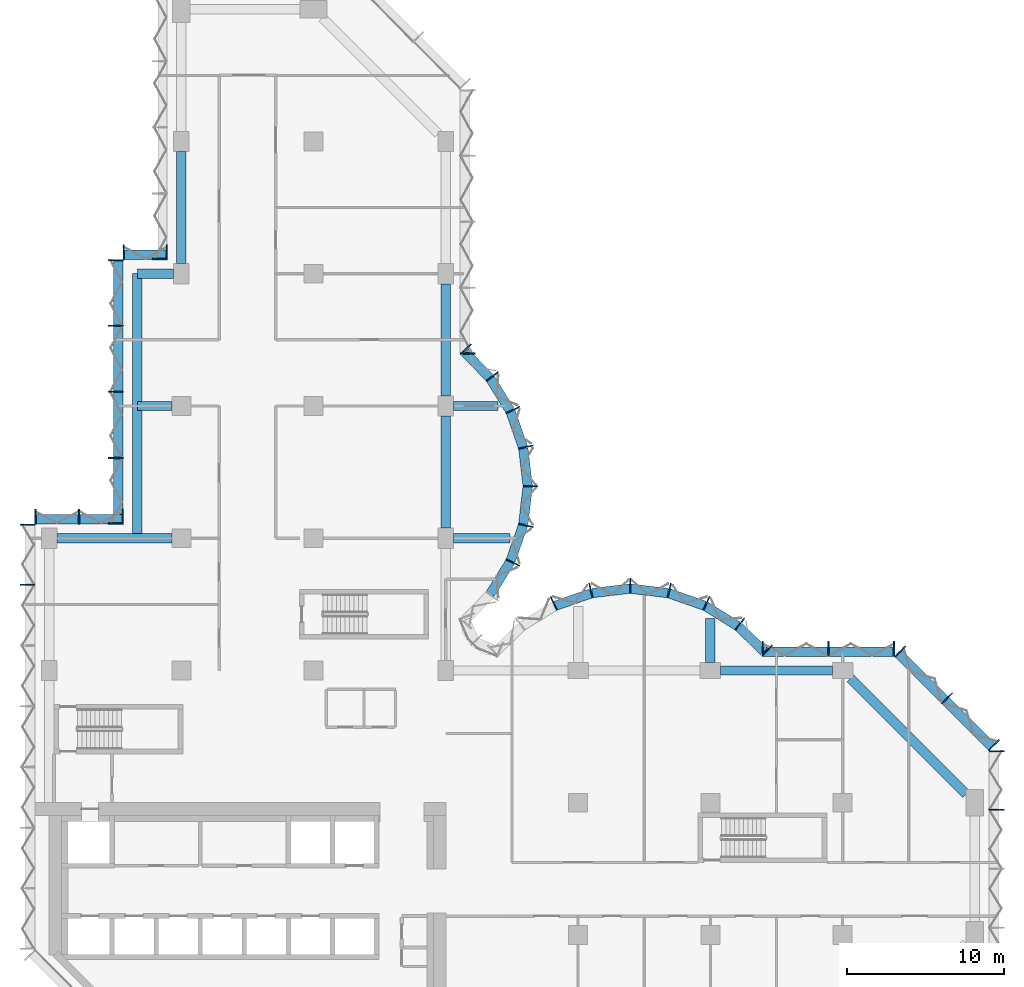
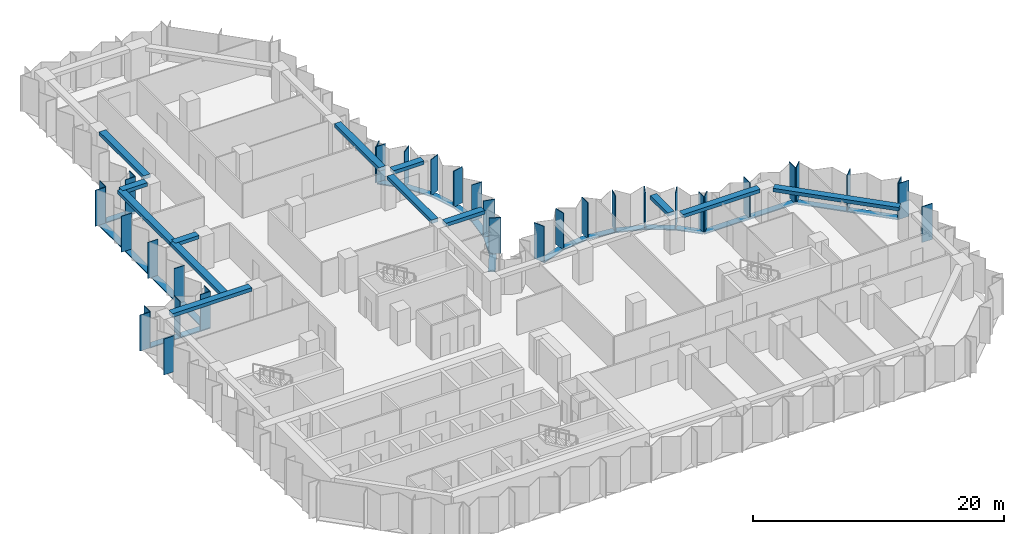
# One storey, part 2 of 11: 54 members, 13 beams, 11 elements without a shape of their own.
"""IFC4 building model written with IfcOpenShell, lengths in metres."""

import ifcopenshell
import ifcopenshell.guid

model = None  # the IFC model being written
_history = None  # IfcOwnerHistory: only IFC2X3 demands one
_inside = {}  # id of a spatial element -> (the spatial element, [elements in it])
_under = {}  # id of a project, library or spatial element -> (it, [spatial elements below it])
_declared = {}  # id of a project -> (the project, [libraries it declares])
_typed = {}  # id of a type object -> (the type object, [elements of that type])
_made_of = {}  # id of a material, layer set ... -> (it, [elements and type objects made of it])


def new_model(schema):
    """Start an empty IFC model of exactly this schema.

    Asked for "IFC4X3", IfcOpenShell would pick the latest addendum, in which some entities
    have other attributes; the version numbers below select the first issue.
    IFC2X3 requires an IfcOwnerHistory on every rooted entity: one is made here for all.
    """
    global model, _history
    if schema == "IFC4X3":
        model = ifcopenshell.file(schema_version=(4, 3, 0, 0))
    else:
        model = ifcopenshell.file(schema=schema)
    _inside.clear()
    _under.clear()
    _declared.clear()
    _typed.clear()
    _made_of.clear()
    _history = None
    if model.schema == "IFC2X3":
        org = make("IfcOrganization", Name="unknown")
        user = make(
            "IfcPersonAndOrganization",
            ThePerson=make("IfcPerson", FamilyName="unknown"),
            TheOrganization=org,
        )
        app = make(
            "IfcApplication",
            ApplicationDeveloper=org,
            Version="unknown",
            ApplicationFullName="unknown",
            ApplicationIdentifier="unknown",
        )
        _history = make(
            "IfcOwnerHistory",
            OwningUser=user,
            OwningApplication=app,
            ChangeAction="ADDED",
            CreationDate=0,
        )
    return model


def make(cls, **values):
    """One entity of the class cls with the attributes given. An attribute that is None is left unset."""
    return model.create_entity(
        cls, **{name: value for name, value in values.items() if value is not None}
    )


def rooted(cls, **values):
    """An entity with a GlobalId (a new one), such as an element, a storey or a relation."""
    return make(cls, GlobalId=ifcopenshell.guid.new(), OwnerHistory=_history, **values)


def si_unit(unit_type, name, prefix=None):
    """IfcSIUnit, for example si_unit("LENGTHUNIT", "METRE", prefix="MILLI")."""
    return make("IfcSIUnit", UnitType=unit_type, Prefix=prefix, Name=name)


def assignment(units):
    """IfcUnitAssignment: the units of a project."""
    return None if units is None else make("IfcUnitAssignment", Units=units)


def point(xyz):
    """IfcCartesianPoint."""
    return None if xyz is None else make("IfcCartesianPoint", Coordinates=xyz)


def direction(xyz):
    """IfcDirection."""
    return None if xyz is None else make("IfcDirection", DirectionRatios=xyz)


def frame(location, z_axis=None, x_axis=None):
    """IfcAxis2Placement3D, a coordinate frame: its origin and axes. An axis left out is left unset."""
    return make(
        "IfcAxis2Placement3D",
        Location=point(location),
        Axis=direction(z_axis),
        RefDirection=direction(x_axis),
    )


def frame_2d(location, x_axis=None):
    """IfcAxis2Placement2D, a coordinate frame in the plane: its origin and x axis."""
    return make(
        "IfcAxis2Placement2D", Location=point(location), RefDirection=direction(x_axis)
    )


def origin():
    """The frame at (0, 0, 0) with its axes left unset."""
    return frame((0.0, 0.0, 0.0))


def origin_2d():
    """The frame at (0, 0) in the plane with its x axis left unset."""
    return frame_2d((0.0, 0.0))


def place(relative_to, where):
    """IfcLocalPlacement: puts the frame where relative to a parent placement (None: the world)."""
    return make(
        "IfcLocalPlacement", PlacementRelTo=relative_to, RelativePlacement=where
    )


def context(
    kind, dimensions, precision=None, world=None, true_north=None, identifier=None
):
    """IfcGeometricRepresentationContext, for example the 3D "Model" context."""
    return make(
        "IfcGeometricRepresentationContext",
        ContextIdentifier=identifier,
        ContextType=kind,
        CoordinateSpaceDimension=dimensions,
        Precision=precision,
        WorldCoordinateSystem=world,
        TrueNorth=true_north,
    )


def subcontext(parent, identifier, kind, view, scale=None):
    """IfcGeometricRepresentationSubContext, for example "Body" below "Model"."""
    return make(
        "IfcGeometricRepresentationSubContext",
        ContextIdentifier=identifier,
        ContextType=kind,
        ParentContext=parent,
        TargetScale=scale,
        TargetView=view,
    )


def project(units=None, contexts=None):
    """IfcProject with its units and contexts."""
    return rooted(
        "IfcProject",
        Name="project",
        RepresentationContexts=contexts,
        UnitsInContext=assignment(units),
    )


def spatial(cls, under=None, at=None, **own):
    """A site, building, storey or space (cls), placed at a placement, below another one or the project."""
    s = rooted(cls, ObjectPlacement=at, **own)
    if under is not None:
        _under.setdefault(under.id(), (under, []))[1].append(s)
    return s


def profile(cls, at=None, kind="AREA", **sizes):
    """A parametric profile (cls). Its sizes go by their IFC names, for example OverallWidth=200.0."""
    return make(cls, ProfileType=kind, Position=at, **sizes)


def rectangle(**sizes):
    """IfcRectangleProfileDef."""
    return profile("IfcRectangleProfileDef", **sizes)


def extrude(swept, where, along, depth):
    """IfcExtrudedAreaSolid: the profile swept, set in the frame where, extruded along a direction by depth."""
    return make(
        "IfcExtrudedAreaSolid",
        SweptArea=swept,
        Position=where,
        ExtrudedDirection=direction(along),
        Depth=depth,
    )


def shape(context_of_items, identifier, shape_type, items):
    """IfcShapeRepresentation: the items that make up one representation, for example the "Body"."""
    return make(
        "IfcShapeRepresentation",
        ContextOfItems=context_of_items,
        RepresentationIdentifier=identifier,
        RepresentationType=shape_type,
        Items=items,
    )


def material(Name=None, Category=None):
    """IfcMaterial."""
    return make("IfcMaterial", Name=Name, Category=Category)


def material_profile(
    of_material, cross_section, Name=None, Category=None, Priority=None
):
    """IfcMaterialProfile: a cross section and its material."""
    return make(
        "IfcMaterialProfile",
        Name=Name,
        Material=of_material,
        Profile=cross_section,
        Priority=Priority,
        Category=Category,
    )


def profile_set(profiles, Name=None, composite=None):
    """IfcMaterialProfileSet."""
    return make(
        "IfcMaterialProfileSet",
        Name=Name,
        MaterialProfiles=profiles,
        CompositeProfile=composite,
    )


def made_of(thing, what):
    """Note that an element or type object is made of a material, layer set ...; save() writes the relation."""
    if what is not None:
        _made_of.setdefault(what.id(), (what, []))[1].append(thing)
    return thing


def type_object(cls, material=None, **own):
    """A type object (cls), such as IfcWallType, which elements share."""
    return made_of(rooted(cls, **own), material)


def element(
    cls,
    number,
    at=None,
    inside=None,
    cuts=None,
    type_object=None,
    material=None,
    context=None,
    identifier="Body",
    shape_type=None,
    held_by="IfcProductDefinitionShape",
    body=None,
    shapes=None,
    **own,
):
    """One element of the class cls, such as IfcWall. Its Tag is "e" and its number.

    at: its placement. inside: the storey or other place that contains it. cuts: it is an
    opening in that element (IfcRelVoidsElement). A single representation is given by context,
    identifier, shape_type and body (its items); several are given by shapes. held_by: the class
    of the entity that holds the representations. save() writes the other relations.
    """
    e = rooted(cls, Tag="e%d" % number, ObjectPlacement=at, **own)
    if body is not None:
        shapes = [shape(context, identifier, shape_type, body)]
    if shapes is not None:
        e.Representation = make(held_by, Representations=shapes)
    if inside is not None:
        _inside.setdefault(inside.id(), (inside, []))[1].append(e)
    if cuts is not None:
        rooted(
            "IfcRelVoidsElement", RelatingBuildingElement=cuts, RelatedOpeningElement=e
        )
    if type_object is not None:
        _typed.setdefault(type_object.id(), (type_object, []))[1].append(e)
    return made_of(e, material)


def aggregate(whole, parts):
    """IfcRelAggregates: a whole, such as a stair, and the parts it consists of."""
    return rooted("IfcRelAggregates", RelatingObject=whole, RelatedObjects=parts)


def save(model, path):
    """Write the relations noted so far, then the file.

    IfcRelAggregates (storeys below a building ...), IfcRelContainedInSpatialStructure (elements
    in a storey), IfcRelDefinesByType, IfcRelAssociatesMaterial and IfcRelDeclares: one each for
    every whole, place, type object, material and project.
    """
    for whole, parts in _under.values():
        aggregate(whole, parts)
    for where, things in _inside.values():
        rooted(
            "IfcRelContainedInSpatialStructure",
            RelatedElements=things,
            RelatingStructure=where,
        )
    for kind, things in _typed.values():
        rooted("IfcRelDefinesByType", RelatedObjects=things, RelatingType=kind)
    for what, things in _made_of.values():
        rooted("IfcRelAssociatesMaterial", RelatedObjects=things, RelatingMaterial=what)
    for by, libraries in _declared.values():
        rooted("IfcRelDeclares", RelatingContext=by, RelatedDefinitions=libraries)
    model.write(path)


model = new_model("IFC4")

# Units and contexts
model_context = context("Model", 3, precision=1e-05, world=origin(), true_north=direction((0.0, 1.0)))
body_context = subcontext(model_context, "Body", "Model", "MODEL_VIEW")
ifc_project = project(units=[si_unit("LENGTHUNIT", "METRE"), si_unit("AREAUNIT", "SQUARE_METRE"), si_unit("VOLUMEUNIT", "CUBIC_METRE"), si_unit("PLANEANGLEUNIT", "RADIAN"), si_unit("MASSUNIT", "GRAM", prefix="KILO")], contexts=[model_context])

# Site, building, storey
site_placement = place(None, origin())
site = spatial("IfcSite", under=ifc_project, at=site_placement, CompositionType="ELEMENT")
building_placement = place(site_placement, origin())
building = spatial("IfcBuilding", under=site, at=building_placement, Name="Brevane Broadcast Tower", CompositionType="ELEMENT")
storey_placement = place(building_placement, frame((0.0, 0.0, 145.699951171875)))
storey = spatial("IfcBuildingStorey", under=building, at=storey_placement, Name="L36", CompositionType="ELEMENT", Elevation=145.699951171875)

# Curtain wall, members
ifc_material_1 = material(Name="Aluminium 6063-T6 bronze anodised", Category="aluminium")
curtain_wall_type = type_object("IfcCurtainWallType", Name="CW-1 curtain wall", PredefinedType="NOTDEFINED", material=ifc_material_1)
curtain_wall_1_placement = place(storey_placement, origin())
curtain_wall_1 = element("IfcCurtainWall", 1, at=curtain_wall_1_placement, inside=storey, type_object=curtain_wall_type, Name="CW-1 typical tilted unit L36 east end", PredefinedType="NOTDEFINED")
ifc_material_profile_1 = material_profile(ifc_material_1, rectangle(XDim=0.949951171875, YDim=0.070068359375, at=origin_2d()), Name="RECT 70x950")
ifc_profile_set_1 = profile_set([ifc_material_profile_1], Name="Aluminium 6063-T6 bronze anodised")
member_type_1 = type_object("IfcMemberType", Name="CW-1 mullion 70x950", PredefinedType="MULLION", material=ifc_profile_set_1)
member_1_placement = place(storey_placement, frame((60.175048828125, 16.35009765625, -0.14990234375), z_axis=(0.0, 0.0, 1.0), x_axis=(-1.0, 0.0, 0.0)))
member_1 = element("IfcMember", 2, at=member_1_placement, type_object=member_type_1, Name="CW-1 mullion", PredefinedType="MULLION", context=body_context, shape_type="SweptSolid", body=[
    extrude(rectangle(XDim=0.949951171875, YDim=0.070068359375, at=origin_2d()), origin(), (0.0, 0.0, 1.0), 3.5),
])
member_2_placement = place(storey_placement, frame((60.175048828125, 20.06494140625, -0.14990234375), z_axis=(0.0, 0.0, 1.0), x_axis=(-1.0, 0.0, 0.0)))
member_2 = element("IfcMember", 3, at=member_2_placement, type_object=member_type_1, Name="CW-1 mullion", PredefinedType="MULLION", context=body_context, shape_type="SweptSolid", body=[
    extrude(rectangle(XDim=0.949951171875, YDim=0.070068359375, at=origin_2d()), origin(), (0.0, 0.0, 1.0), 3.5),
])
aggregate(curtain_wall_1, [member_1, member_2])

curtain_wall_2_placement = place(storey_placement, origin())
curtain_wall_2 = element("IfcCurtainWall", 4, at=curtain_wall_2_placement, inside=storey, type_object=curtain_wall_type, Name="CW-1 typical tilted unit L36 north-east chamfer", PredefinedType="NOTDEFINED")
member_3_placement = place(storey_placement, frame((60.01123046875, 20.460693359375, -0.14990234375), z_axis=(0.0, 0.0, 1.0), x_axis=(-0.707106781187, -0.707106781187, 0.0)))
member_3 = element("IfcMember", 5, at=member_3_placement, type_object=member_type_1, Name="CW-1 mullion", PredefinedType="MULLION", context=body_context, shape_type="SweptSolid", body=[
    extrude(rectangle(XDim=0.949951171875, YDim=0.070068359375, at=origin_2d()), origin(), (0.0, 0.0, 1.0), 3.5),
])
member_4_placement = place(storey_placement, frame((57.035888671875, 23.435791015625, -0.14990234375), z_axis=(0.0, 0.0, 1.0), x_axis=(-0.707106781187, -0.707106781187, 0.0)))
member_4 = element("IfcMember", 6, at=member_4_placement, type_object=member_type_1, Name="CW-1 mullion", PredefinedType="MULLION", context=body_context, shape_type="SweptSolid", body=[
    extrude(rectangle(XDim=0.949951171875, YDim=0.070068359375, at=origin_2d()), origin(), (0.0, 0.0, 1.0), 3.5),
])
member_5_placement = place(storey_placement, frame((54.060546875, 26.4111328125, -0.14990234375), z_axis=(0.0, 0.0, 1.0), x_axis=(-0.707106781187, -0.707106781187, 0.0)))
member_5 = element("IfcMember", 7, at=member_5_placement, type_object=member_type_1, Name="CW-1 mullion", PredefinedType="MULLION", context=body_context, shape_type="SweptSolid", body=[
    extrude(rectangle(XDim=0.949951171875, YDim=0.070068359375, at=origin_2d()), origin(), (0.0, 0.0, 1.0), 3.5),
])

curtain_wall_3_placement = place(storey_placement, origin())
curtain_wall_3 = element("IfcCurtainWall", 8, at=curtain_wall_3_placement, inside=storey, type_object=curtain_wall_type, Name="CW-1 typical tilted unit L36 east arm north face", PredefinedType="NOTDEFINED")
member_6_placement = place(storey_placement, frame((53.6650390625, 26.574951171875, -0.14990234375), z_axis=(0.0, 0.0, 1.0), x_axis=(0.0, -1.0, 0.0)))
member_6 = element("IfcMember", 9, at=member_6_placement, type_object=member_type_1, Name="CW-1 mullion", PredefinedType="MULLION", context=body_context, shape_type="SweptSolid", body=[
    extrude(rectangle(XDim=0.949951171875, YDim=0.070068359375, at=origin_2d()), origin(), (0.0, 0.0, 1.0), 3.5),
])
member_7_placement = place(storey_placement, frame((49.5, 26.574951171875, -0.14990234375), z_axis=(0.0, 0.0, 1.0), x_axis=(0.0, -1.0, 0.0)))
member_7 = element("IfcMember", 10, at=member_7_placement, type_object=member_type_1, Name="CW-1 mullion", PredefinedType="MULLION", context=body_context, shape_type="SweptSolid", body=[
    extrude(rectangle(XDim=0.949951171875, YDim=0.070068359375, at=origin_2d()), origin(), (0.0, 0.0, 1.0), 3.5),
])
member_8_placement = place(storey_placement, frame((45.3349609375, 26.574951171875, -0.14990234375), z_axis=(0.0, 0.0, 1.0), x_axis=(0.0, -1.0, 0.0)))
member_8 = element("IfcMember", 11, at=member_8_placement, type_object=member_type_1, Name="CW-1 mullion", PredefinedType="MULLION", context=body_context, shape_type="SweptSolid", body=[
    extrude(rectangle(XDim=0.949951171875, YDim=0.070068359375, at=origin_2d()), origin(), (0.0, 0.0, 1.0), 3.5),
])

curtain_wall_4_placement = place(storey_placement, origin())
curtain_wall_4 = element("IfcCurtainWall", 12, at=curtain_wall_4_placement, inside=storey, type_object=curtain_wall_type, Name="CW-1 typical tilted unit L36 east bow", PredefinedType="NOTDEFINED")
member_9_placement = place(storey_placement, frame((45.60595703125, 26.465087890625, -0.14990234375), z_axis=(0.0, 0.0, 1.0), x_axis=(-0.696811941702, -0.717253872699, 0.0)))
member_9 = element("IfcMember", 13, at=member_9_placement, type_object=member_type_1, Name="CW-1 mullion", PredefinedType="MULLION", context=body_context, shape_type="SweptSolid", body=[
    extrude(rectangle(XDim=0.949951171875, YDim=0.070068359375, at=origin_2d()), origin(), (0.0, 0.0, 1.0), 3.5),
])
member_10_placement = place(storey_placement, frame((43.8720703125, 28.1455078125, -0.14990234375), z_axis=(0.0, 0.0, 1.0), x_axis=(-0.614769738617, -0.788706642853, 0.0)))
member_10 = element("IfcMember", 14, at=member_10_placement, type_object=member_type_1, Name="CW-1 mullion", PredefinedType="MULLION", context=body_context, shape_type="SweptSolid", body=[
    extrude(rectangle(XDim=0.949951171875, YDim=0.070068359375, at=origin_2d()), origin(), (0.0, 0.0, 1.0), 3.5),
])
member_11_placement = place(storey_placement, frame((41.746826171875, 29.4580078125, -0.14990234375), z_axis=(0.0, 0.0, 1.0), x_axis=(-0.429933601163, -0.902860508933, 0.0)))
member_11 = element("IfcMember", 15, at=member_11_placement, type_object=member_type_1, Name="CW-1 mullion", PredefinedType="MULLION", context=body_context, shape_type="SweptSolid", body=[
    extrude(rectangle(XDim=0.949951171875, YDim=0.070068359375, at=origin_2d()), origin(), (0.0, 0.0, 1.0), 3.5),
])
member_12_placement = place(storey_placement, frame((39.38818359375, 30.28076171875, -0.14990234375), z_axis=(0.0, 0.0, 1.0), x_axis=(-0.224806482215, -0.974403430594, 0.0)))
member_12 = element("IfcMember", 16, at=member_12_placement, type_object=member_type_1, Name="CW-1 mullion", PredefinedType="MULLION", context=body_context, shape_type="SweptSolid", body=[
    extrude(rectangle(XDim=0.949951171875, YDim=0.070068359375, at=origin_2d()), origin(), (0.0, 0.0, 1.0), 3.5),
])
member_13_placement = place(storey_placement, frame((36.89990234375, 30.574951171875, -0.14990234375), z_axis=(0.0, 0.0, 1.0), x_axis=(0.0, -1.0, 0.0)))
member_13 = element("IfcMember", 17, at=member_13_placement, type_object=member_type_1, Name="CW-1 mullion", PredefinedType="MULLION", context=body_context, shape_type="SweptSolid", body=[
    extrude(rectangle(XDim=0.949951171875, YDim=0.070068359375, at=origin_2d()), origin(), (0.0, 0.0, 1.0), 3.5),
])
member_14_placement = place(storey_placement, frame((34.411865234375, 30.28076171875, -0.14990234375), z_axis=(0.0, 0.0, 1.0), x_axis=(0.224806482215, -0.974403430594, 0.0)))
member_14 = element("IfcMember", 18, at=member_14_placement, type_object=member_type_1, Name="CW-1 mullion", PredefinedType="MULLION", context=body_context, shape_type="SweptSolid", body=[
    extrude(rectangle(XDim=0.949951171875, YDim=0.070068359375, at=origin_2d()), origin(), (0.0, 0.0, 1.0), 3.5),
])
member_15_placement = place(storey_placement, frame((32.05322265625, 29.4580078125, -0.14990234375), z_axis=(0.0, 0.0, 1.0), x_axis=(0.429933601163, -0.902860508933, 0.0)))
member_15 = element("IfcMember", 19, at=member_15_placement, type_object=member_type_1, Name="CW-1 mullion", PredefinedType="MULLION", context=body_context, shape_type="SweptSolid", body=[
    extrude(rectangle(XDim=0.949951171875, YDim=0.070068359375, at=origin_2d()), origin(), (0.0, 0.0, 1.0), 3.5),
])

curtain_wall_5_placement = place(storey_placement, origin())
curtain_wall_5 = element("IfcCurtainWall", 20, at=curtain_wall_5_placement, inside=storey, type_object=curtain_wall_type, Name="CW-1 typical tilted unit L36 north bow", PredefinedType="NOTDEFINED")
member_16_placement = place(storey_placement, frame((29.4580078125, 32.05322265625, -0.14990234375), z_axis=(0.0, 0.0, 1.0), x_axis=(-0.902860508933, 0.429933601163, 0.0)))
member_16 = element("IfcMember", 21, at=member_16_placement, type_object=member_type_1, Name="CW-1 mullion", PredefinedType="MULLION", context=body_context, shape_type="SweptSolid", body=[
    extrude(rectangle(XDim=0.949951171875, YDim=0.070068359375, at=origin_2d()), origin(), (0.0, 0.0, 1.0), 3.5),
])
member_17_placement = place(storey_placement, frame((30.28076171875, 34.411865234375, -0.14990234375), z_axis=(0.0, 0.0, 1.0), x_axis=(-0.974403430594, 0.224806482215, 0.0)))
member_17 = element("IfcMember", 22, at=member_17_placement, type_object=member_type_1, Name="CW-1 mullion", PredefinedType="MULLION", context=body_context, shape_type="SweptSolid", body=[
    extrude(rectangle(XDim=0.949951171875, YDim=0.070068359375, at=origin_2d()), origin(), (0.0, 0.0, 1.0), 3.5),
])
member_18_placement = place(storey_placement, frame((30.574951171875, 36.89990234375, -0.14990234375), z_axis=(0.0, 0.0, 1.0), x_axis=(-1.0, 0.0, 0.0)))
member_18 = element("IfcMember", 23, at=member_18_placement, type_object=member_type_1, Name="CW-1 mullion", PredefinedType="MULLION", context=body_context, shape_type="SweptSolid", body=[
    extrude(rectangle(XDim=0.949951171875, YDim=0.070068359375, at=origin_2d()), origin(), (0.0, 0.0, 1.0), 3.5),
])
member_19_placement = place(storey_placement, frame((30.28076171875, 39.38818359375, -0.14990234375), z_axis=(0.0, 0.0, 1.0), x_axis=(-0.974403430594, -0.224806482215, 0.0)))
member_19 = element("IfcMember", 24, at=member_19_placement, type_object=member_type_1, Name="CW-1 mullion", PredefinedType="MULLION", context=body_context, shape_type="SweptSolid", body=[
    extrude(rectangle(XDim=0.949951171875, YDim=0.070068359375, at=origin_2d()), origin(), (0.0, 0.0, 1.0), 3.5),
])
member_20_placement = place(storey_placement, frame((29.4580078125, 41.746826171875, -0.14990234375), z_axis=(0.0, 0.0, 1.0), x_axis=(-0.902860508933, -0.429933601163, 0.0)))
member_20 = element("IfcMember", 25, at=member_20_placement, type_object=member_type_1, Name="CW-1 mullion", PredefinedType="MULLION", context=body_context, shape_type="SweptSolid", body=[
    extrude(rectangle(XDim=0.949951171875, YDim=0.070068359375, at=origin_2d()), origin(), (0.0, 0.0, 1.0), 3.5),
])
member_21_placement = place(storey_placement, frame((28.1455078125, 43.8720703125, -0.14990234375), z_axis=(0.0, 0.0, 1.0), x_axis=(-0.788706642853, -0.614769738617, 0.0)))
member_21 = element("IfcMember", 26, at=member_21_placement, type_object=member_type_1, Name="CW-1 mullion", PredefinedType="MULLION", context=body_context, shape_type="SweptSolid", body=[
    extrude(rectangle(XDim=0.949951171875, YDim=0.070068359375, at=origin_2d()), origin(), (0.0, 0.0, 1.0), 3.5),
])
member_22_placement = place(storey_placement, frame((26.465087890625, 45.60595703125, -0.14990234375), z_axis=(0.0, 0.0, 1.0), x_axis=(-0.717253872699, -0.696811941702, 0.0)))
member_22 = element("IfcMember", 27, at=member_22_placement, type_object=member_type_1, Name="CW-1 mullion", PredefinedType="MULLION", context=body_context, shape_type="SweptSolid", body=[
    extrude(rectangle(XDim=0.949951171875, YDim=0.070068359375, at=origin_2d()), origin(), (0.0, 0.0, 1.0), 3.5),
])

# Curtain wall, member
curtain_wall_6_placement = place(storey_placement, origin())
curtain_wall_6 = element("IfcCurtainWall", 28, at=curtain_wall_6_placement, inside=storey, type_object=curtain_wall_type, Name="CW-1 typical tilted unit L36 north arm east face", PredefinedType="NOTDEFINED")
member_23_placement = place(storey_placement, frame((26.574951171875, 45.3349609375, -0.14990234375), z_axis=(0.0, 0.0, 1.0), x_axis=(-1.0, 0.0, 0.0)))
member_23 = element("IfcMember", 29, at=member_23_placement, type_object=member_type_1, Name="CW-1 mullion", PredefinedType="MULLION", context=body_context, shape_type="SweptSolid", body=[
    extrude(rectangle(XDim=0.949951171875, YDim=0.070068359375, at=origin_2d()), origin(), (0.0, 0.0, 1.0), 3.5),
])
aggregate(curtain_wall_6, [member_23])

curtain_wall_7_placement = place(storey_placement, origin())
curtain_wall_7 = element("IfcCurtainWall", 30, at=curtain_wall_7_placement, inside=storey, type_object=curtain_wall_type, Name="CW-1 typical tilted unit L36 north wing west face above the set-back", PredefinedType="NOTDEFINED")
member_24_placement = place(storey_placement, frame((7.02490234375, 51.3349609375, -0.14990234375), z_axis=(0.0, 0.0, 1.0), x_axis=(1.0, 0.0, 0.0)))
member_24 = element("IfcMember", 31, at=member_24_placement, type_object=member_type_1, Name="CW-1 mullion", PredefinedType="MULLION", context=body_context, shape_type="SweptSolid", body=[
    extrude(rectangle(XDim=0.949951171875, YDim=0.070068359375, at=origin_2d()), origin(), (0.0, 0.0, 1.0), 3.5),
])
aggregate(curtain_wall_7, [member_24])

# Curtain wall, members
curtain_wall_8_placement = place(storey_placement, origin())
curtain_wall_8 = element("IfcCurtainWall", 32, at=curtain_wall_8_placement, inside=storey, type_object=curtain_wall_type, Name="CW-1 typical tilted unit L36 north wing west return", PredefinedType="NOTDEFINED")
member_25_placement = place(storey_placement, frame((7.465087890625, 51.77490234375, -0.14990234375), z_axis=(0.0, 0.0, 1.0), x_axis=(0.0, -1.0, 0.0)))
member_25 = element("IfcMember", 33, at=member_25_placement, type_object=member_type_1, Name="CW-1 mullion", PredefinedType="MULLION", context=body_context, shape_type="SweptSolid", body=[
    extrude(rectangle(XDim=0.949951171875, YDim=0.070068359375, at=origin_2d()), origin(), (0.0, 0.0, 1.0), 3.5),
])
member_26_placement = place(storey_placement, frame((4.735107421875, 51.77490234375, -0.14990234375), z_axis=(0.0, 0.0, 1.0), x_axis=(0.0, -1.0, 0.0)))
member_26 = element("IfcMember", 34, at=member_26_placement, type_object=member_type_1, Name="CW-1 mullion", PredefinedType="MULLION", context=body_context, shape_type="SweptSolid", body=[
    extrude(rectangle(XDim=0.949951171875, YDim=0.070068359375, at=origin_2d()), origin(), (0.0, 0.0, 1.0), 3.5),
])

curtain_wall_9_placement = place(storey_placement, origin())
curtain_wall_9 = element("IfcCurtainWall", 35, at=curtain_wall_9_placement, inside=storey, type_object=curtain_wall_type, Name="CW-1 typical tilted unit L36 north wing west face, lower block", PredefinedType="NOTDEFINED")
member_27_placement = place(storey_placement, frame((4.22509765625, 51.264892578125, -0.14990234375), z_axis=(0.0, 0.0, 1.0), x_axis=(1.0, 0.0, 0.0)))
member_27 = element("IfcMember", 36, at=member_27_placement, type_object=member_type_1, Name="CW-1 mullion", PredefinedType="MULLION", context=body_context, shape_type="SweptSolid", body=[
    extrude(rectangle(XDim=0.949951171875, YDim=0.070068359375, at=origin_2d()), origin(), (0.0, 0.0, 1.0), 3.5),
])
member_28_placement = place(storey_placement, frame((4.22509765625, 47.10009765625, -0.14990234375), z_axis=(0.0, 0.0, 1.0), x_axis=(1.0, 0.0, 0.0)))
member_28 = element("IfcMember", 37, at=member_28_placement, type_object=member_type_1, Name="CW-1 mullion", PredefinedType="MULLION", context=body_context, shape_type="SweptSolid", body=[
    extrude(rectangle(XDim=0.949951171875, YDim=0.070068359375, at=origin_2d()), origin(), (0.0, 0.0, 1.0), 3.5),
])
member_29_placement = place(storey_placement, frame((4.22509765625, 42.89990234375, -0.14990234375), z_axis=(0.0, 0.0, 1.0), x_axis=(1.0, 0.0, 0.0)))
member_29 = element("IfcMember", 38, at=member_29_placement, type_object=member_type_1, Name="CW-1 mullion", PredefinedType="MULLION", context=body_context, shape_type="SweptSolid", body=[
    extrude(rectangle(XDim=0.949951171875, YDim=0.070068359375, at=origin_2d()), origin(), (0.0, 0.0, 1.0), 3.5),
])
member_30_placement = place(storey_placement, frame((4.22509765625, 38.699951171875, -0.14990234375), z_axis=(0.0, 0.0, 1.0), x_axis=(1.0, 0.0, 0.0)))
member_30 = element("IfcMember", 39, at=member_30_placement, type_object=member_type_1, Name="CW-1 mullion", PredefinedType="MULLION", context=body_context, shape_type="SweptSolid", body=[
    extrude(rectangle(XDim=0.949951171875, YDim=0.070068359375, at=origin_2d()), origin(), (0.0, 0.0, 1.0), 3.5),
])
member_31_placement = place(storey_placement, frame((4.22509765625, 34.534912109375, -0.14990234375), z_axis=(0.0, 0.0, 1.0), x_axis=(1.0, 0.0, 0.0)))
member_31 = element("IfcMember", 40, at=member_31_placement, type_object=member_type_1, Name="CW-1 mullion", PredefinedType="MULLION", context=body_context, shape_type="SweptSolid", body=[
    extrude(rectangle(XDim=0.949951171875, YDim=0.070068359375, at=origin_2d()), origin(), (0.0, 0.0, 1.0), 3.5),
])

curtain_wall_10_placement = place(storey_placement, origin())
curtain_wall_10 = element("IfcCurtainWall", 41, at=curtain_wall_10_placement, inside=storey, type_object=curtain_wall_type, Name="CW-1 typical tilted unit L36 north wing west return, lower block", PredefinedType="NOTDEFINED")
member_32_placement = place(storey_placement, frame((4.6650390625, 34.97509765625, -0.14990234375), z_axis=(0.0, 0.0, 1.0), x_axis=(0.0, -1.0, 0.0)))
member_32 = element("IfcMember", 42, at=member_32_placement, type_object=member_type_1, Name="CW-1 mullion", PredefinedType="MULLION", context=body_context, shape_type="SweptSolid", body=[
    extrude(rectangle(XDim=0.949951171875, YDim=0.070068359375, at=origin_2d()), origin(), (0.0, 0.0, 1.0), 3.5),
])
member_33_placement = place(storey_placement, frame((1.89990234375, 34.97509765625, -0.14990234375), z_axis=(0.0, 0.0, 1.0), x_axis=(0.0, -1.0, 0.0)))
member_33 = element("IfcMember", 43, at=member_33_placement, type_object=member_type_1, Name="CW-1 mullion", PredefinedType="MULLION", context=body_context, shape_type="SweptSolid", body=[
    extrude(rectangle(XDim=0.949951171875, YDim=0.070068359375, at=origin_2d()), origin(), (0.0, 0.0, 1.0), 3.5),
])
member_34_placement = place(storey_placement, frame((-0.864990234375, 34.97509765625, -0.14990234375), z_axis=(0.0, 0.0, 1.0), x_axis=(0.0, -1.0, 0.0)))
member_34 = element("IfcMember", 44, at=member_34_placement, type_object=member_type_1, Name="CW-1 mullion", PredefinedType="MULLION", context=body_context, shape_type="SweptSolid", body=[
    extrude(rectangle(XDim=0.949951171875, YDim=0.070068359375, at=origin_2d()), origin(), (0.0, 0.0, 1.0), 3.5),
])

curtain_wall_11_placement = place(storey_placement, origin())
curtain_wall_11 = element("IfcCurtainWall", 45, at=curtain_wall_11_placement, inside=storey, type_object=curtain_wall_type, Name="CW-1 typical tilted unit L36 west face", PredefinedType="NOTDEFINED")
member_35_placement = place(storey_placement, frame((-1.375, 34.465087890625, -0.14990234375), z_axis=(0.0, 0.0, 1.0), x_axis=(1.0, 0.0, 0.0)))
member_35 = element("IfcMember", 46, at=member_35_placement, type_object=member_type_1, Name="CW-1 mullion", PredefinedType="MULLION", context=body_context, shape_type="SweptSolid", body=[
    extrude(rectangle(XDim=0.949951171875, YDim=0.070068359375, at=origin_2d()), origin(), (0.0, 0.0, 1.0), 3.5),
])
member_36_placement = place(storey_placement, frame((-1.375, 30.642822265625, -0.14990234375), z_axis=(0.0, 0.0, 1.0), x_axis=(1.0, 0.0, 0.0)))
member_36 = element("IfcMember", 47, at=member_36_placement, type_object=member_type_1, Name="CW-1 mullion", PredefinedType="MULLION", context=body_context, shape_type="SweptSolid", body=[
    extrude(rectangle(XDim=0.949951171875, YDim=0.070068359375, at=origin_2d()), origin(), (0.0, 0.0, 1.0), 3.5),
])
aggregate(curtain_wall_11, [member_35, member_36])

# Member
ifc_material_profile_2 = material_profile(ifc_material_1, rectangle(XDim=0.60009765625, YDim=0.10009765625, at=origin_2d()), Name="RECT 100x600")
ifc_profile_set_2 = profile_set([ifc_material_profile_2], Name="Aluminium 6063-T6 bronze anodised")
member_type_2 = type_object("IfcMemberType", Name="CW-1 transom 100x600", PredefinedType="USERDEFINED", material=ifc_profile_set_2)
member_37_placement = place(storey_placement, frame((59.912109375, 20.31201171875, -0.199951171875), z_axis=(-0.707106781187, 0.707106781187, 0.0), x_axis=(-0.707106781187, -0.707106781187, 0.0)))
member_37 = element("IfcMember", 48, at=member_37_placement, type_object=member_type_2, Name="CW-1 transom", ObjectType="TRANSOM", PredefinedType="USERDEFINED", context=body_context, shape_type="SweptSolid", body=[
    extrude(rectangle(XDim=0.60009765625, YDim=0.10009765625, at=origin_2d()), origin(), (0.0, 0.0, 1.0), 8.4853515625),
])

aggregate(curtain_wall_2, [member_3, member_4, member_5, member_37])

member_38_placement = place(storey_placement, frame((53.699951171875, 26.39990234375, -0.199951171875), z_axis=(-1.0, 0.0, 0.0), x_axis=(0.0, -1.0, 0.0)))
member_38 = element("IfcMember", 49, at=member_38_placement, type_object=member_type_2, Name="CW-1 transom", ObjectType="TRANSOM", PredefinedType="USERDEFINED", context=body_context, shape_type="SweptSolid", body=[
    extrude(rectangle(XDim=0.60009765625, YDim=0.10009765625, at=origin_2d()), origin(), (0.0, 0.0, 1.0), 8.39990234375),
])

aggregate(curtain_wall_3, [member_6, member_7, member_8, member_38])

member_39_placement = place(storey_placement, frame((45.412841796875, 26.407958984375, -0.199951171875), z_axis=(-0.71724215871, 0.696823999134, 0.0), x_axis=(-0.696823999134, -0.71724215871, 0.0)))
member_39 = element("IfcMember", 50, at=member_39_placement, type_object=member_type_2, Name="CW-1 transom", ObjectType="TRANSOM", PredefinedType="USERDEFINED", context=body_context, shape_type="SweptSolid", body=[
    extrude(rectangle(XDim=0.60009765625, YDim=0.10009765625, at=origin_2d()), origin(), (0.0, 0.0, 1.0), 2.247802734375),
])

member_40_placement = place(storey_placement, frame((43.7421875, 28.023193359375, -0.199951171875), z_axis=(-0.850810063131, 0.525473345162, 0.0), x_axis=(-0.525473345162, -0.850810063131, 0.0)))
member_40 = element("IfcMember", 51, at=member_40_placement, type_object=member_type_2, Name="CW-1 transom", ObjectType="TRANSOM", PredefinedType="USERDEFINED", context=body_context, shape_type="SweptSolid", body=[
    extrude(rectangle(XDim=0.60009765625, YDim=0.10009765625, at=origin_2d()), origin(), (0.0, 0.0, 1.0), 2.39453125),
])

member_41_placement = place(storey_placement, frame((41.63623046875, 29.314208984375, -0.199951171875), z_axis=(-0.944197969542, 0.329378497041, 0.0), x_axis=(-0.329378497041, -0.944197969542, 0.0)))
member_41 = element("IfcMember", 52, at=member_41_placement, type_object=member_type_2, Name="CW-1 transom", ObjectType="TRANSOM", PredefinedType="USERDEFINED", context=body_context, shape_type="SweptSolid", body=[
    extrude(rectangle(XDim=0.60009765625, YDim=0.10009765625, at=origin_2d()), origin(), (0.0, 0.0, 1.0), 2.394775390625),
])

member_42_placement = place(storey_placement, frame((39.30029296875, 30.117431640625, -0.199951171875), z_axis=(-0.993062061831, 0.117591417, 0.0), x_axis=(-0.117591417, -0.993062061831, 0.0)))
member_42 = element("IfcMember", 53, at=member_42_placement, type_object=member_type_2, Name="CW-1 transom", ObjectType="TRANSOM", PredefinedType="USERDEFINED", context=body_context, shape_type="SweptSolid", body=[
    extrude(rectangle(XDim=0.60009765625, YDim=0.10009765625, at=origin_2d()), origin(), (0.0, 0.0, 1.0), 2.39794921875),
])

member_43_placement = place(storey_placement, frame((36.880859375, 30.3994140625, -0.199951171875), z_axis=(-0.993060653805, -0.117603307202, 0.0), x_axis=(0.117603307202, -0.993060653805, 0.0)))
member_43 = element("IfcMember", 54, at=member_43_placement, type_object=member_type_2, Name="CW-1 transom", ObjectType="TRANSOM", PredefinedType="USERDEFINED", context=body_context, shape_type="SweptSolid", body=[
    extrude(rectangle(XDim=0.60009765625, YDim=0.10009765625, at=origin_2d()), origin(), (0.0, 0.0, 1.0), 2.397705078125),
])

member_44_placement = place(storey_placement, frame((34.425048828125, 30.10302734375, -0.199951171875), z_axis=(-0.944197969542, -0.329378497041, 0.0), x_axis=(0.329378497041, -0.944197969542, 0.0)))
member_44 = element("IfcMember", 55, at=member_44_placement, type_object=member_type_2, Name="CW-1 transom", ObjectType="TRANSOM", PredefinedType="USERDEFINED", context=body_context, shape_type="SweptSolid", body=[
    extrude(rectangle(XDim=0.60009765625, YDim=0.10009765625, at=origin_2d()), origin(), (0.0, 0.0, 1.0), 2.394775390625),
])

aggregate(curtain_wall_4, [member_9, member_10, member_11, member_12, member_13, member_14, member_15, member_39, member_40, member_41, member_42, member_43, member_44])

member_45_placement = place(storey_placement, frame((28.023193359375, 30.0576171875, -0.199951171875), z_axis=(0.525427766759, 0.850838211365, 0.0), x_axis=(-0.850838211365, 0.525427766759, 0.0)))
member_45 = element("IfcMember", 56, at=member_45_placement, type_object=member_type_2, Name="CW-1 transom", ObjectType="TRANSOM", PredefinedType="USERDEFINED", context=body_context, shape_type="SweptSolid", body=[
    extrude(rectangle(XDim=0.60009765625, YDim=0.10009765625, at=origin_2d()), origin(), (0.0, 0.0, 1.0), 2.394775390625),
])

member_46_placement = place(storey_placement, frame((29.314208984375, 32.163818359375, -0.199951171875), z_axis=(0.329378497041, 0.944197969542, 0.0), x_axis=(-0.944197969542, 0.329378497041, 0.0)))
member_46 = element("IfcMember", 57, at=member_46_placement, type_object=member_type_2, Name="CW-1 transom", ObjectType="TRANSOM", PredefinedType="USERDEFINED", context=body_context, shape_type="SweptSolid", body=[
    extrude(rectangle(XDim=0.60009765625, YDim=0.10009765625, at=origin_2d()), origin(), (0.0, 0.0, 1.0), 2.394775390625),
])

member_47_placement = place(storey_placement, frame((30.117431640625, 34.499755859375, -0.199951171875), z_axis=(0.117603307202, 0.993060653805, 0.0), x_axis=(-0.993060653805, 0.117603307202, 0.0)))
member_47 = element("IfcMember", 58, at=member_47_placement, type_object=member_type_2, Name="CW-1 transom", ObjectType="TRANSOM", PredefinedType="USERDEFINED", context=body_context, shape_type="SweptSolid", body=[
    extrude(rectangle(XDim=0.60009765625, YDim=0.10009765625, at=origin_2d()), origin(), (0.0, 0.0, 1.0), 2.397705078125),
])

member_48_placement = place(storey_placement, frame((30.3994140625, 36.9189453125, -0.199951171875), z_axis=(-0.117591417, 0.993062061831, 0.0), x_axis=(-0.993062061831, -0.117591417, 0.0)))
member_48 = element("IfcMember", 59, at=member_48_placement, type_object=member_type_2, Name="CW-1 transom", ObjectType="TRANSOM", PredefinedType="USERDEFINED", context=body_context, shape_type="SweptSolid", body=[
    extrude(rectangle(XDim=0.60009765625, YDim=0.10009765625, at=origin_2d()), origin(), (0.0, 0.0, 1.0), 2.39794921875),
])

member_49_placement = place(storey_placement, frame((30.10302734375, 39.375, -0.199951171875), z_axis=(-0.329378497041, 0.944197969542, 0.0), x_axis=(-0.944197969542, -0.329378497041, 0.0)))
member_49 = element("IfcMember", 60, at=member_49_placement, type_object=member_type_2, Name="CW-1 transom", ObjectType="TRANSOM", PredefinedType="USERDEFINED", context=body_context, shape_type="SweptSolid", body=[
    extrude(rectangle(XDim=0.60009765625, YDim=0.10009765625, at=origin_2d()), origin(), (0.0, 0.0, 1.0), 2.394775390625),
])

member_50_placement = place(storey_placement, frame((29.281494140625, 41.704833984375, -0.199951171875), z_axis=(-0.525473345162, 0.850810063131, 0.0), x_axis=(-0.850810063131, -0.525473345162, 0.0)))
member_50 = element("IfcMember", 61, at=member_50_placement, type_object=member_type_2, Name="CW-1 transom", ObjectType="TRANSOM", PredefinedType="USERDEFINED", context=body_context, shape_type="SweptSolid", body=[
    extrude(rectangle(XDim=0.60009765625, YDim=0.10009765625, at=origin_2d()), origin(), (0.0, 0.0, 1.0), 2.39453125),
])

member_51_placement = place(storey_placement, frame((27.974365234375, 43.800537109375, -0.199951171875), z_axis=(-0.696823999134, 0.71724215871, 0.0), x_axis=(-0.71724215871, -0.696823999134, 0.0)))
member_51 = element("IfcMember", 62, at=member_51_placement, type_object=member_type_2, Name="CW-1 transom", ObjectType="TRANSOM", PredefinedType="USERDEFINED", context=body_context, shape_type="SweptSolid", body=[
    extrude(rectangle(XDim=0.60009765625, YDim=0.10009765625, at=origin_2d()), origin(), (0.0, 0.0, 1.0), 2.247802734375),
])

aggregate(curtain_wall_5, [member_16, member_17, member_18, member_19, member_20, member_21, member_22, member_45, member_46, member_47, member_48, member_49, member_50, member_51])

member_52_placement = place(storey_placement, frame((7.5, 51.60009765625, -0.199951171875), z_axis=(-1.0, 0.0, 0.0), x_axis=(0.0, -1.0, 0.0)))
member_52 = element("IfcMember", 63, at=member_52_placement, type_object=member_type_2, Name="CW-1 transom", ObjectType="TRANSOM", PredefinedType="USERDEFINED", context=body_context, shape_type="SweptSolid", body=[
    extrude(rectangle(XDim=0.60009765625, YDim=0.10009765625, at=origin_2d()), origin(), (0.0, 0.0, 1.0), 2.800048828125),
])

aggregate(curtain_wall_8, [member_25, member_26, member_52])

member_53_placement = place(storey_placement, frame((4.39990234375, 51.300048828125, -0.199951171875), z_axis=(0.0, -1.0, 0.0), x_axis=(1.0, 0.0, 0.0)))
member_53 = element("IfcMember", 64, at=member_53_placement, type_object=member_type_2, Name="CW-1 transom", ObjectType="TRANSOM", PredefinedType="USERDEFINED", context=body_context, shape_type="SweptSolid", body=[
    extrude(rectangle(XDim=0.60009765625, YDim=0.10009765625, at=origin_2d()), origin(), (0.0, 0.0, 1.0), 16.800048828125),
])

aggregate(curtain_wall_9, [member_27, member_28, member_29, member_30, member_31, member_53])

member_54_placement = place(storey_placement, frame((4.699951171875, 34.800048828125, -0.199951171875), z_axis=(-1.0, 0.0, 0.0), x_axis=(0.0, -1.0, 0.0)))
member_54 = element("IfcMember", 65, at=member_54_placement, type_object=member_type_2, Name="CW-1 transom", ObjectType="TRANSOM", PredefinedType="USERDEFINED", context=body_context, shape_type="SweptSolid", body=[
    extrude(rectangle(XDim=0.60009765625, YDim=0.10009765625, at=origin_2d()), origin(), (0.0, 0.0, 1.0), 5.599853515625),
])

aggregate(curtain_wall_10, [member_32, member_33, member_34, member_54])

# Beams
ifc_material_2 = material(Name="Concrete C40/50", Category="concrete")
ifc_material_profile_3 = material_profile(ifc_material_2, rectangle(XDim=0.60009765625, YDim=0.35009765625, at=origin_2d()), Name="RC 600x350")
ifc_profile_set_3 = profile_set([ifc_material_profile_3], Name="Concrete C40/50")
beam_type_1 = type_object("IfcBeamType", Name="RC BRACKET BEAM 600x350 C40/50", PredefinedType="BEAM", material=ifc_profile_set_3)
beam_1_placement = place(storey_placement, frame((25.699951171875, 33.60009765625, 3.175048828125), z_axis=(1.0, 0.0, 0.0), x_axis=(0.0, 1.0, 0.0)))
element("IfcBeam", 66, at=beam_1_placement, inside=storey, type_object=beam_type_1, Name="EB2 L36-1", PredefinedType="BEAM", context=body_context, shape_type="SweptSolid", body=[
    extrude(rectangle(XDim=0.60009765625, YDim=0.35009765625, at=origin_2d()), origin(), (0.0, 0.0, 1.0), 3.56201171875),
])
for number, where, z_axis, x_axis, name in (
    (67, (25.699951171875, 42.0, 3.175048828125), (1.0, 0.0, 0.0), (0.0, 1.0, 0.0), "EB2 L36-2"),
    (68, (42.0, 25.699951171875, 3.175048828125), (0.0, 1.0, 0.0), (-1.0, 0.0, 0.0), "EB2 L36-4"),
):
    element("IfcBeam", number, at=place(storey_placement, frame(where, z_axis=z_axis, x_axis=x_axis)), inside=storey, type_object=beam_type_1, Name=name, PredefinedType="BEAM", context=body_context, shape_type="SweptSolid", body=[
        extrude(rectangle(XDim=0.60009765625, YDim=0.35009765625, at=origin_2d()), origin(), (0.0, 0.0, 1.0), 2.8115234375),
    ])
beam_2_placement = place(storey_placement, frame((7.800048828125, 42.0, 3.175048828125), z_axis=(-1.0, 0.0, 0.0), x_axis=(0.0, -1.0, 0.0)))
element("IfcBeam", 69, at=beam_2_placement, inside=storey, type_object=beam_type_1, Name="EB2 L36-5", PredefinedType="BEAM", context=body_context, shape_type="SweptSolid", body=[
    extrude(rectangle(XDim=0.60009765625, YDim=0.35009765625, at=origin_2d()), origin(), (0.0, 0.0, 1.0), 2.199951171875),
])
ifc_material_profile_4 = material_profile(ifc_material_2, rectangle(XDim=0.60009765625, YDim=0.35009765625, at=origin_2d()), Name="RC 600x350")
ifc_profile_set_4 = profile_set([ifc_material_profile_4], Name="Concrete C40/50")
beam_type_2 = type_object("IfcBeamType", Name="RC SPANDREL BEAM 600x350 C40/50", PredefinedType="SPANDREL", material=ifc_profile_set_4)
beam_3_placement = place(storey_placement, frame((58.25, 17.35009765625, 3.175048828125), z_axis=(-0.707118524903, 0.707095037275, 0.0), x_axis=(-0.707095037275, -0.707118524903, 0.0)))
element("IfcBeam", 70, at=beam_3_placement, inside=storey, type_object=beam_type_2, Name="EB1 L36-6", PredefinedType="SPANDREL", context=body_context, shape_type="SweptSolid", body=[
    extrude(rectangle(XDim=0.60009765625, YDim=0.35009765625, at=origin_2d()), origin(), (0.0, 0.0, 1.0), 10.39453125),
])
for number, where, z_axis, x_axis, name in (
    (71, (49.75, 25.199951171875, 3.175048828125), (-1.0, 0.0, 0.0), (0.0, -1.0, 0.0), "EB1 L36-7"),
    (72, (25.199951171875, 34.25, 3.175048828125), (0.0, 1.0, 0.0), (-1.0, 0.0, 0.0), "EB1 L36-11"),
    (73, (25.199951171875, 42.64990234375, 3.175048828125), (0.0, 1.0, 0.0), (-1.0, 0.0, 0.0), "EB1 L36-12"),
):
    element("IfcBeam", number, at=place(storey_placement, frame(where, z_axis=z_axis, x_axis=x_axis)), inside=storey, type_object=beam_type_2, Name=name, PredefinedType="SPANDREL", context=body_context, shape_type="SweptSolid", body=[
        extrude(rectangle(XDim=0.60009765625, YDim=0.35009765625, at=origin_2d()), origin(), (0.0, 0.0, 1.0), 7.10009765625),
    ])
beam_4_placement = place(storey_placement, frame((0.5, 33.60009765625, 3.175048828125), z_axis=(1.0, 0.0, 0.0), x_axis=(0.0, 1.0, 0.0)))
element("IfcBeam", 74, at=beam_4_placement, inside=storey, type_object=beam_type_2, Name="EB1 L36-18", PredefinedType="SPANDREL", context=body_context, shape_type="SweptSolid", body=[
    extrude(rectangle(XDim=0.60009765625, YDim=0.35009765625, at=origin_2d()), origin(), (0.0, 0.0, 1.0), 7.300048828125),
])
for number, where, z_axis, x_axis, name in (
    (75, (5.60009765625, 33.60009765625, 3.175048828125), (0.0, 1.0, 0.0), (-1.0, 0.0, 0.0), "EB1 L36-19"),
    (76, (5.60009765625, 42.0, 3.175048828125), (0.0, 1.0, 0.0), (-1.0, 0.0, 0.0), "EB1 L36-20"),
):
    element("IfcBeam", number, at=place(storey_placement, frame(where, z_axis=z_axis, x_axis=x_axis)), inside=storey, type_object=beam_type_2, Name=name, PredefinedType="SPANDREL", context=body_context, shape_type="SweptSolid", body=[
        extrude(rectangle(XDim=0.60009765625, YDim=0.35009765625, at=origin_2d()), origin(), (0.0, 0.0, 1.0), 8.39990234375),
    ])
beam_5_placement = place(storey_placement, frame((5.60009765625, 50.39990234375, 3.175048828125), z_axis=(1.0, 0.0, 0.0), x_axis=(0.0, 1.0, 0.0)))
element("IfcBeam", 77, at=beam_5_placement, inside=storey, type_object=beam_type_2, Name="EB1 L36-21", PredefinedType="SPANDREL", context=body_context, shape_type="SweptSolid", body=[
    extrude(rectangle(XDim=0.60009765625, YDim=0.35009765625, at=origin_2d()), origin(), (0.0, 0.0, 1.0), 2.2998046875),
])
beam_6_placement = place(storey_placement, frame((8.39990234375, 51.050048828125, 3.175048828125), z_axis=(0.0, 1.0, 0.0), x_axis=(-1.0, 0.0, 0.0)))
element("IfcBeam", 78, at=beam_6_placement, inside=storey, type_object=beam_type_2, Name="EB1 L36-22", PredefinedType="SPANDREL", context=body_context, shape_type="SweptSolid", body=[
    extrude(rectangle(XDim=0.60009765625, YDim=0.35009765625, at=origin_2d()), origin(), (0.0, 0.0, 1.0), 7.099853515625),
])

save(model, "model.ifc")
